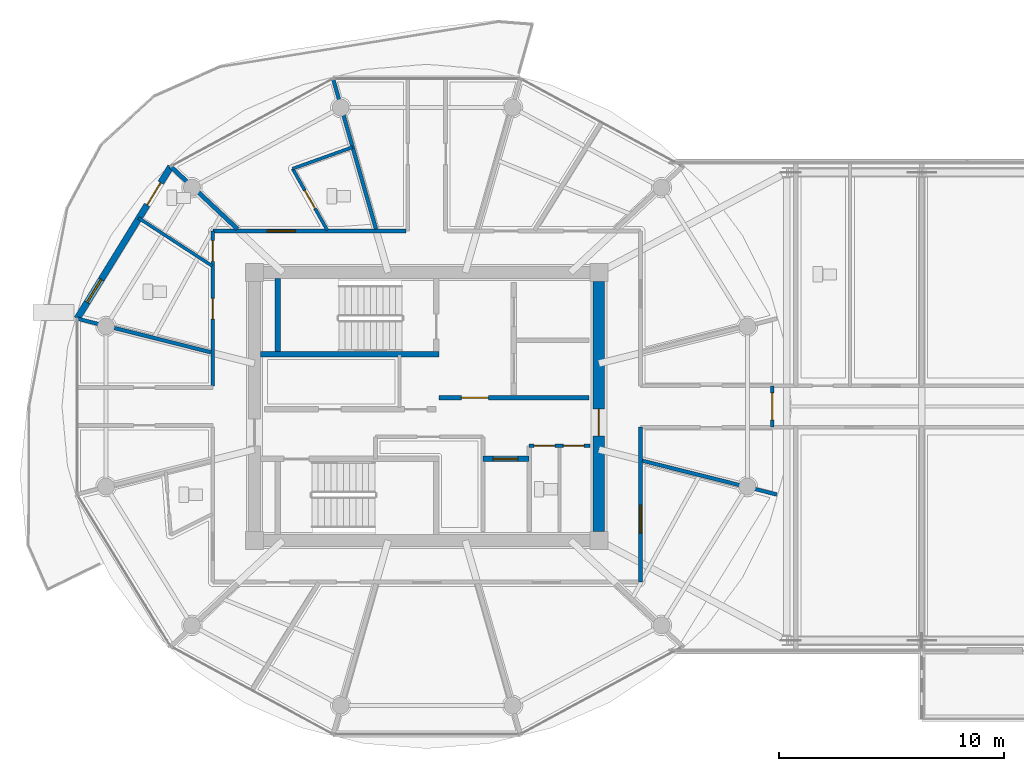
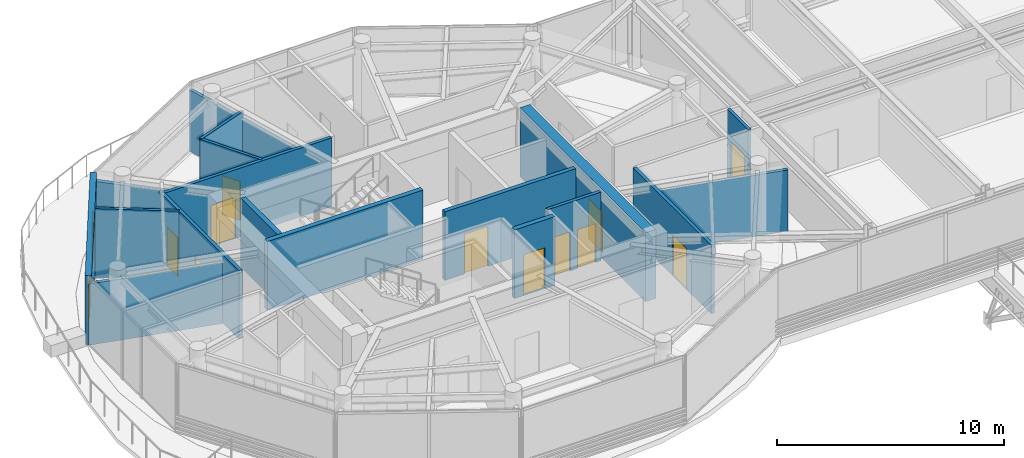
# One storey, part 15 of 31: 18 walls, 12 doors, 1 window, 13 openings.
"""IFC4 building model written with IfcOpenShell, lengths in metres."""

from ifc_helpers import new_model, si_unit, direction, frame, frame_2d, origin, place, context, subcontext, project, spatial, rectangle, extrude, source, transform, mapped, material, layer, layer_set, type_object, type_shapes, element, fill, save


model = new_model("IFC4")

# Units and contexts
model_context = context("Model", 3, precision=1e-05, world=origin(), true_north=direction((0.0, 1.0)))
body_context = subcontext(model_context, "Body", "Model", "MODEL_VIEW")
ifc_project = project(units=[si_unit("LENGTHUNIT", "METRE"), si_unit("AREAUNIT", "SQUARE_METRE"), si_unit("VOLUMEUNIT", "CUBIC_METRE"), si_unit("PLANEANGLEUNIT", "RADIAN"), si_unit("MASSUNIT", "GRAM", prefix="KILO")], contexts=[model_context])

# Site, building, storey
site_placement = place(None, origin())
site = spatial("IfcSite", under=ifc_project, at=site_placement, CompositionType="ELEMENT")
building_placement = place(site_placement, origin())
building = spatial("IfcBuilding", under=site, at=building_placement, Name="Norrkilde Senior Care Towers", CompositionType="ELEMENT")
storey_placement = place(building_placement, frame((0.0, 0.0, 199.800048828125)))
storey = spatial("IfcBuildingStorey", under=building, at=storey_placement, Name="L62", CompositionType="ELEMENT", Elevation=199.800048828125)

# Wall, opening, door
ifc_material_1 = material(Name="Concrete C50/60", Category="concrete")
ifc_layer_1 = layer(ifc_material_1, 0.52001953125)
ifc_layer_set_1 = layer_set([ifc_layer_1], Name="Concrete C50/60")
wall_type_1 = type_object("IfcWallType", Name="Core Shear Wall Z4 520", PredefinedType="SHEAR", material=ifc_layer_set_1)
shared_shape_1 = source(origin(), body_context, "Body", "SweptSolid", [
    extrude(rectangle(XDim=11.10009765625, YDim=0.52001953125, at=frame_2d((5.550048828125, 0.0))), origin(), (0.0, 0.0, 1.0), 3.7099609375),
])
type_shapes(wall_type_1, [shared_shape_1])
wall_1_placement = place(storey_placement, frame((-20.35009765625, 5.550048828125, 0.0), z_axis=(0.0, 0.0, 1.0), x_axis=(0.0, -1.0, 0.0)))
wall_1 = element("IfcWall", 1, at=wall_1_placement, inside=storey, type_object=wall_type_1, Name="L62 Core W East Shear Wall", PredefinedType="SHEAR", context=body_context, shape_type="MappedRepresentation", body=[
    mapped(shared_shape_1, transform((0.0, 0.0, 0.0), x_axis=(1.0, 0.0, 0.0), y_axis=(0.0, 1.0, 0.0), z_axis=(0.0, 0.0, 1.0), scale=1.0)),
])
opening_1_placement = place(wall_1_placement, frame((5.64990234375, 0.0, 0.0)))
opening_1 = element("IfcOpeningElement", 2, at=opening_1_placement, cuts=wall_1, Name="Opening D-04", PredefinedType="OPENING", context=body_context, shape_type="SweptSolid", body=[
    extrude(rectangle(XDim=1.199951171875, YDim=2.14990234375, at=frame_2d((0.60009765625, 1.074951171875))), frame((0.0, 0.27001953125, 0.0), z_axis=(0.0, -1.0, 0.0), x_axis=(1.0, 0.0, 0.0)), (0.0, 0.0, 1.0), 0.5400390625),
])
ifc_material_2 = material(Name="Galvanised Painted Steel", Category="steel")
door_type_1 = type_object("IfcDoorType", Name="Firefighting Lobby Fire Door 1200x2150", OperationType="NOTDEFINED", PredefinedType="DOOR", material=ifc_material_2)
shared_shape_2 = source(origin(), body_context, "Body", "SweptSolid", [
    extrude(rectangle(XDim=1.199951171875, YDim=2.14990234375, at=frame_2d((0.60009765625, 1.074951171875))), frame((0.0, 0.02490234375, 0.0), z_axis=(0.0, -1.0, 0.0), x_axis=(1.0, 0.0, 0.0)), (0.0, 0.0, 1.0), 0.050048828125),
])
type_shapes(door_type_1, [shared_shape_2])
door_1_placement = place(opening_1_placement, frame((1.199951171875, 0.0, 0.0), z_axis=(0.0, 0.0, 1.0), x_axis=(-1.0, 0.0, 0.0)))
door_1 = element("IfcDoor", 3, at=door_1_placement, inside=storey, type_object=door_type_1, Name="L62 Core W East Portal Door", OperationType="SINGLE_SWING_RIGHT", OverallHeight=2.14990234375, OverallWidth=1.199951171875, PredefinedType="DOOR", context=body_context, shape_type="MappedRepresentation", body=[
    mapped(shared_shape_2, transform((0.0, 0.0, 0.0), x_axis=(1.0, 0.0, 0.0), y_axis=(0.0, 1.0, 0.0), z_axis=(0.0, 0.0, 1.0), scale=1.0)),
])
fill(opening_1, door_1)

# Wall, openings, door, window
ifc_material_3 = material(Name="Precast concrete C45/55", Category="concrete")
ifc_layer_2 = layer(ifc_material_3, 0.2900390625)
ifc_layer_set_2 = layer_set([ifc_layer_2], Name="Precast concrete C45/55")
wall_type_2 = type_object("IfcWallType", Name="Winter Garden Facade Wall 290", PredefinedType="SOLIDWALL", material=ifc_layer_set_2)
shared_shape_3 = source(origin(), body_context, "Body", "SweptSolid", [
    extrude(rectangle(XDim=7.938232421875, YDim=0.2900390625, at=frame_2d((3.96923828125, 0.0))), origin(), (0.0, 0.0, 1.0), 3.7099609375),
])
type_shapes(wall_type_2, [shared_shape_3])
wall_2_placement = place(storey_placement, frame((-43.531982421875, 3.903076171875, 0.0), z_axis=(0.0, 0.0, 1.0), x_axis=(0.524244987663, 0.851567491694, 0.0)))
wall_2 = element("IfcWall", 4, at=wall_2_placement, inside=storey, type_object=wall_type_2, Name="L62 Drum W Balcony Access Wall 04", PredefinedType="SOLIDWALL", context=body_context, shape_type="MappedRepresentation", body=[
    mapped(shared_shape_3, transform((0.0, 0.0, 0.0), x_axis=(1.0, 0.0, 0.0), y_axis=(0.0, 1.0, 0.0), z_axis=(0.0, 0.0, 1.0), scale=1.0)),
])
opening_2_placement = place(wall_2_placement, frame((5.93994140625, 0.0, 0.0)))
opening_2 = element("IfcOpeningElement", 5, at=opening_2_placement, cuts=wall_2, Name="Opening D-09", PredefinedType="OPENING", context=body_context, shape_type="SweptSolid", body=[
    extrude(rectangle(XDim=1.14990234375, YDim=2.25, at=frame_2d((0.574951171875, 1.125))), frame((0.0, 0.155029296875, 0.0), z_axis=(0.0, -1.0, 0.0), x_axis=(1.0, 0.0, 0.0)), (0.0, 0.0, 1.0), 0.31005859375),
])
opening_3_placement = place(wall_2_placement, frame((0.85009765625, 0.0, 0.85009765625)))
opening_3 = element("IfcOpeningElement", 6, at=opening_3_placement, cuts=wall_2, Name="Opening WN-07", PredefinedType="OPENING", context=body_context, shape_type="SweptSolid", body=[
    extrude(rectangle(XDim=1.199951171875, YDim=1.5, at=frame_2d((0.60009765625, 0.75))), frame((0.0, 0.155029296875, 0.0), z_axis=(0.0, -1.0, 0.0), x_axis=(1.0, 0.0, 0.0)), (0.0, 0.0, 1.0), 0.31005859375),
])
ifc_material_4 = material(Name="Anodised Aluminium", Category="aluminium")
door_type_2 = type_object("IfcDoorType", Name="Terrace and Balcony Glazed Door 1150x2250", OperationType="NOTDEFINED", PredefinedType="DOOR", material=ifc_material_4)
shared_shape_4 = source(origin(), body_context, "Body", "SweptSolid", [
    extrude(rectangle(XDim=1.14990234375, YDim=2.25, at=frame_2d((0.574951171875, 1.125))), frame((0.0, 0.02490234375, 0.0), z_axis=(0.0, -1.0, 0.0), x_axis=(1.0, 0.0, 0.0)), (0.0, 0.0, 1.0), 0.050048828125),
])
type_shapes(door_type_2, [shared_shape_4])
door_2_placement = place(opening_2_placement, origin())
door_2 = element("IfcDoor", 7, at=door_2_placement, inside=storey, type_object=door_type_2, Name="L62 Drum W Outdoor Terrace Door 04", OperationType="SINGLE_SWING_LEFT", OverallHeight=2.25, OverallWidth=1.14990234375, PredefinedType="DOOR", context=body_context, shape_type="MappedRepresentation", body=[
    mapped(shared_shape_4, transform((0.0, 0.0, 0.0), x_axis=(1.0, 0.0, 0.0), y_axis=(0.0, 1.0, 0.0), z_axis=(0.0, 0.0, 1.0), scale=1.0)),
])
fill(opening_2, door_2)
ifc_material_5 = material(Name="Triple Low-E Insulated Glazing", Category="glass")
window_type = type_object("IfcWindowType", Name="Stairwell Smoke Vent Window 1200x1500", PartitioningType="SINGLE_PANEL", PredefinedType="WINDOW", material=ifc_material_5)
shared_shape_5 = source(origin(), body_context, "Body", "SweptSolid", [
    extrude(rectangle(XDim=1.199951171875, YDim=1.5, at=frame_2d((0.60009765625, 0.75))), frame((0.0, 0.030029296875, 0.0), z_axis=(0.0, -1.0, 0.0), x_axis=(1.0, 0.0, 0.0)), (0.0, 0.0, 1.0), 0.06005859375),
])
type_shapes(window_type, [shared_shape_5])
window_placement = place(opening_3_placement, origin())
window = element("IfcWindow", 8, at=window_placement, inside=storey, type_object=window_type, Name="L62 Drum W Winter Garden Window 04", OverallHeight=1.5, OverallWidth=1.199951171875, PartitioningType="SINGLE_PANEL", PredefinedType="WINDOW", context=body_context, shape_type="MappedRepresentation", body=[
    mapped(shared_shape_5, transform((0.0, 0.0, 0.0), x_axis=(1.0, 0.0, 0.0), y_axis=(0.0, 1.0, 0.0), z_axis=(0.0, 0.0, 1.0), scale=1.0)),
])
fill(opening_3, window)

# Walls
ifc_material_6 = material(Name="Concrete C45/55", Category="concrete")
ifc_layer_3 = layer(ifc_material_6, 0.239990234375)
ifc_layer_set_3 = layer_set([ifc_layer_3], Name="Concrete C45/55")
wall_type_3 = type_object("IfcWallType", Name="Shaft and Stair Enclosure Wall 240", PredefinedType="PARTITIONING", material=ifc_layer_set_3)
shared_shape_6 = source(origin(), body_context, "Body", "SweptSolid", [
    extrude(rectangle(XDim=7.929931640625, YDim=0.239990234375, at=frame_2d((3.96484375, 0.0))), origin(), (0.0, 0.0, 1.0), 3.7099609375),
])
wall_3_placement = place(storey_placement, frame((-35.389892578125, 2.330078125, 0.0), z_axis=(0.0, 0.0, 1.0), x_axis=(1.0, 0.0, 0.0)))
element("IfcWall", 9, at=wall_3_placement, inside=storey, type_object=wall_type_3, Name="WL-INT-L62-W-ST1S", PredefinedType="PARTITIONING", context=body_context, shape_type="MappedRepresentation", body=[
    mapped(shared_shape_6, transform((0.0, 0.0, 0.0), x_axis=(1.0, 0.0, 0.0), y_axis=(0.0, 1.0, 0.0), z_axis=(0.0, 0.0, 1.0), scale=1.0)),
])
shared_shape_7 = source(origin(), body_context, "Body", "SweptSolid", [
    extrude(rectangle(XDim=3.239990234375, YDim=0.239990234375, at=frame_2d((1.6201171875, 0.0))), origin(), (0.0, 0.0, 1.0), 3.7099609375),
])
type_shapes(wall_type_3, [shared_shape_6, shared_shape_7])
wall_4_placement = place(storey_placement, frame((-34.6201171875, 2.449951171875, 0.0), z_axis=(0.0, 0.0, 1.0), x_axis=(0.0, 1.0, 0.0)))
element("IfcWall", 10, at=wall_4_placement, inside=storey, type_object=wall_type_3, Name="WL-INT-L62-W-ST1W", PredefinedType="PARTITIONING", context=body_context, shape_type="MappedRepresentation", body=[
    mapped(shared_shape_7, transform((0.0, 0.0, 0.0), x_axis=(1.0, 0.0, 0.0), y_axis=(0.0, 1.0, 0.0), z_axis=(0.0, 0.0, 1.0), scale=1.0)),
])

# Wall, opening, door
ifc_layer_4 = layer(ifc_material_6, 0.2099609375)
ifc_layer_set_4 = layer_set([ifc_layer_4], Name="Concrete C45/55")
wall_type_4 = type_object("IfcWallType", Name="Firefighting Lobby Wall 210", PredefinedType="PARTITIONING", material=ifc_layer_set_4)
shared_shape_8 = source(origin(), body_context, "Body", "SweptSolid", [
    extrude(rectangle(XDim=6.659912109375, YDim=0.2099609375, at=frame_2d((3.330078125, 0.0))), origin(), (0.0, 0.0, 1.0), 3.695068359375),
])
type_shapes(wall_type_4, [shared_shape_8])
wall_5_placement = place(storey_placement, frame((-27.4599609375, 0.389892578125, 0.0), z_axis=(0.0, 0.0, 1.0), x_axis=(1.0, 0.0, 0.0)))
wall_5 = element("IfcWall", 11, at=wall_5_placement, inside=storey, type_object=wall_type_4, Name="WL-INT-L62-W-FFLS", PredefinedType="PARTITIONING", context=body_context, shape_type="MappedRepresentation", body=[
    mapped(shared_shape_8, transform((0.0, 0.0, 0.0), x_axis=(1.0, 0.0, 0.0), y_axis=(0.0, 1.0, 0.0), z_axis=(0.0, 0.0, 1.0), scale=1.0)),
])
opening_4_placement = place(wall_5_placement, frame((1.0, 0.0, 0.0)))
opening_4 = element("IfcOpeningElement", 12, at=opening_4_placement, cuts=wall_5, Name="Opening D-04", PredefinedType="OPENING", context=body_context, shape_type="SweptSolid", body=[
    extrude(rectangle(XDim=1.199951171875, YDim=2.14990234375, at=frame_2d((0.60009765625, 1.074951171875))), frame((0.0, 0.114990234375, 0.0), z_axis=(0.0, -1.0, 0.0), x_axis=(1.0, 0.0, 0.0)), (0.0, 0.0, 1.0), 0.22998046875),
])
door_3_placement = place(opening_4_placement, frame((1.199951171875, 0.0, 0.0), z_axis=(0.0, 0.0, 1.0), x_axis=(-1.0, 0.0, 0.0)))
door_3 = element("IfcDoor", 13, at=door_3_placement, inside=storey, type_object=door_type_1, Name="L62 Firefighting Lobby W Door", OperationType="SINGLE_SWING_LEFT", OverallHeight=2.14990234375, OverallWidth=1.199951171875, PredefinedType="DOOR", context=body_context, shape_type="MappedRepresentation", body=[
    mapped(shared_shape_2, transform((0.0, 0.0, 0.0), x_axis=(1.0, 0.0, 0.0), y_axis=(0.0, 1.0, 0.0), z_axis=(0.0, 0.0, 1.0), scale=1.0)),
])
fill(opening_4, door_3)

ifc_layer_5 = layer(ifc_material_6, 0.239990234375)
ifc_layer_set_5 = layer_set([ifc_layer_5], Name="Concrete C45/55")
wall_type_5 = type_object("IfcWallType", Name="Lift and Plant Rated Enclosure Partition 240", PredefinedType="PARTITIONING", material=ifc_layer_set_5)
shared_shape_9 = source(origin(), body_context, "Body", "SweptSolid", [
    extrude(rectangle(XDim=2.050048828125, YDim=0.239990234375, at=frame_2d((1.02490234375, 0.0))), origin(), (0.0, 0.0, 1.0), 3.695068359375),
])
type_shapes(wall_type_5, [shared_shape_9])
wall_6_placement = place(storey_placement, frame((-25.5, -2.330078125, 0.0), z_axis=(0.0, 0.0, 1.0), x_axis=(1.0, 0.0, 0.0)))
wall_6 = element("IfcWall", 14, at=wall_6_placement, inside=storey, type_object=wall_type_5, Name="WL-INT-L62-W-PL4N", PredefinedType="PARTITIONING", context=body_context, shape_type="MappedRepresentation", body=[
    mapped(shared_shape_9, transform((0.0, 0.0, 0.0), x_axis=(1.0, 0.0, 0.0), y_axis=(0.0, 1.0, 0.0), z_axis=(0.0, 0.0, 1.0), scale=1.0)),
])
opening_5_placement = place(wall_6_placement, frame((0.449951171875, 0.0, 0.0)))
opening_5 = element("IfcOpeningElement", 15, at=opening_5_placement, cuts=wall_6, Name="Opening LD-01", PredefinedType="OPENING", context=body_context, shape_type="SweptSolid", body=[
    extrude(rectangle(XDim=1.10009765625, YDim=2.199951171875, at=frame_2d((0.550048828125, 1.10009765625))), frame((0.0, 0.1298828125, 0.0), z_axis=(0.0, -1.0, 0.0), x_axis=(1.0, 0.0, 0.0)), (0.0, 0.0, 1.0), 0.260009765625),
])
ifc_material_7 = material(Name="Stainless Steel", Category="steel")
door_type_3 = type_object("IfcDoorType", Name="Lift Landing Sliding Door 1100x2200", OperationType="NOTDEFINED", PredefinedType="DOOR", material=ifc_material_7)
shared_shape_10 = source(origin(), body_context, "Body", "SweptSolid", [
    extrude(rectangle(XDim=1.10009765625, YDim=2.199951171875, at=frame_2d((0.550048828125, 1.10009765625))), frame((0.0, 0.02490234375, 0.0), z_axis=(0.0, -1.0, 0.0), x_axis=(1.0, 0.0, 0.0)), (0.0, 0.0, 1.0), 0.050048828125),
])
type_shapes(door_type_3, [shared_shape_10])
door_4_placement = place(opening_5_placement, frame((1.10009765625, 0.0, 0.0), z_axis=(0.0, 0.0, 1.0), x_axis=(-1.0, 0.0, 0.0)))
door_4 = element("IfcDoor", 16, at=door_4_placement, inside=storey, type_object=door_type_3, Name="L62 Passenger Lift W4 Landing Door", OperationType="SLIDING_TO_RIGHT", OverallHeight=2.199951171875, OverallWidth=1.10009765625, PredefinedType="DOOR", context=body_context, shape_type="MappedRepresentation", body=[
    mapped(shared_shape_10, transform((0.0, 0.0, 0.0), x_axis=(1.0, 0.0, 0.0), y_axis=(0.0, 1.0, 0.0), z_axis=(0.0, 0.0, 1.0), scale=1.0)),
])
fill(opening_5, door_4)

# Wall, openings, doors
ifc_material_8 = material(Name="Gypsum Acoustic Board")
ifc_layer_6 = layer(ifc_material_8, 0.1650390625)
ifc_layer_set_6 = layer_set([ifc_layer_6], Name="Gypsum Acoustic Board")
wall_type_6 = type_object("IfcWallType", Name="Corridor Rated Partition 165", PredefinedType="PARTITIONING", material=ifc_layer_set_6)
shared_shape_11 = source(origin(), body_context, "Body", "SweptSolid", [
    extrude(rectangle(XDim=2.699951171875, YDim=0.1650390625, at=frame_2d((1.35009765625, 0.0))), origin(), (0.0, 0.0, 1.0), 3.695068359375),
])
wall_7_placement = place(storey_placement, frame((-23.449951171875, -1.75, 0.0), z_axis=(0.0, 0.0, 1.0), x_axis=(1.0, 0.0, 0.0)))
wall_7 = element("IfcWall", 17, at=wall_7_placement, inside=storey, type_object=wall_type_6, Name="WL-INT-L62-W-CSN", PredefinedType="PARTITIONING", context=body_context, shape_type="MappedRepresentation", body=[
    mapped(shared_shape_11, transform((0.0, 0.0, 0.0), x_axis=(1.0, 0.0, 0.0), y_axis=(0.0, 1.0, 0.0), z_axis=(0.0, 0.0, 1.0), scale=1.0)),
])
opening_6_placement = place(wall_7_placement, frame((0.222412109375, 0.0, 0.0)))
opening_6 = element("IfcOpeningElement", 18, at=opening_6_placement, cuts=wall_7, Name="Opening D-12", PredefinedType="OPENING", context=body_context, shape_type="SweptSolid", body=[
    extrude(rectangle(XDim=0.925048828125, YDim=2.10009765625, at=frame_2d((0.46240234375, 1.050048828125))), frame((0.0, 0.092529296875, 0.0), z_axis=(0.0, -1.0, 0.0), x_axis=(1.0, 0.0, 0.0)), (0.0, 0.0, 1.0), 0.18505859375),
])
opening_7_placement = place(wall_7_placement, frame((1.5224609375, 0.0, 0.0)))
opening_7 = element("IfcOpeningElement", 19, at=opening_7_placement, cuts=wall_7, Name="Opening D-12", PredefinedType="OPENING", context=body_context, shape_type="SweptSolid", body=[
    extrude(rectangle(XDim=0.925048828125, YDim=2.10009765625, at=frame_2d((0.46240234375, 1.050048828125))), frame((0.0, 0.092529296875, 0.0), z_axis=(0.0, -1.0, 0.0), x_axis=(1.0, 0.0, 0.0)), (0.0, 0.0, 1.0), 0.18505859375),
])
door_type_4 = type_object("IfcDoorType", Name="Core Wet Room Rated Door 925x2100", OperationType="NOTDEFINED", PredefinedType="DOOR", material=ifc_material_2)
shared_shape_12 = source(origin(), body_context, "Body", "SweptSolid", [
    extrude(rectangle(XDim=0.925048828125, YDim=2.10009765625, at=frame_2d((0.46240234375, 1.050048828125))), frame((0.0, 0.02490234375, 0.0), z_axis=(0.0, -1.0, 0.0), x_axis=(1.0, 0.0, 0.0)), (0.0, 0.0, 1.0), 0.050048828125),
])
type_shapes(door_type_4, [shared_shape_12])
door_5_placement = place(opening_6_placement, origin())
door_5 = element("IfcDoor", 20, at=door_5_placement, inside=storey, type_object=door_type_4, Name="L62 Staff Accessible WC W Door", OperationType="SINGLE_SWING_LEFT", OverallHeight=2.10009765625, OverallWidth=0.925048828125, PredefinedType="DOOR", context=body_context, shape_type="MappedRepresentation", body=[
    mapped(shared_shape_12, transform((0.0, 0.0, 0.0), x_axis=(1.0, 0.0, 0.0), y_axis=(0.0, 1.0, 0.0), z_axis=(0.0, 0.0, 1.0), scale=1.0)),
])
fill(opening_6, door_5)
door_6_placement = place(opening_7_placement, origin())
door_6 = element("IfcDoor", 21, at=door_6_placement, inside=storey, type_object=door_type_4, Name="L62 Housekeeping Store W Door", OperationType="SINGLE_SWING_RIGHT", OverallHeight=2.10009765625, OverallWidth=0.925048828125, PredefinedType="DOOR", context=body_context, shape_type="MappedRepresentation", body=[
    mapped(shared_shape_12, transform((0.0, 0.0, 0.0), x_axis=(1.0, 0.0, 0.0), y_axis=(0.0, 1.0, 0.0), z_axis=(0.0, 0.0, 1.0), scale=1.0)),
])
fill(opening_7, door_6)

# Wall, opening, door
shared_shape_13 = source(origin(), body_context, "Body", "SweptSolid", [
    extrude(rectangle(XDim=8.580078125, YDim=0.1650390625, at=frame_2d((4.2900390625, 0.0))), origin(), (0.0, 0.0, 1.0), 3.695068359375),
])
wall_8_placement = place(storey_placement, frame((-37.5, 7.800048828125, 0.0), z_axis=(0.0, 0.0, 1.0), x_axis=(1.0, 0.0, 0.0)))
wall_8 = element("IfcWall", 22, at=wall_8_placement, inside=storey, type_object=wall_type_6, Name="WL-INT-L62-W-CRW-N-0", PredefinedType="PARTITIONING", context=body_context, shape_type="MappedRepresentation", body=[
    mapped(shared_shape_13, transform((0.0, 0.0, 0.0), x_axis=(1.0, 0.0, 0.0), y_axis=(0.0, 1.0, 0.0), z_axis=(0.0, 0.0, 1.0), scale=1.0)),
])
opening_8_placement = place(wall_8_placement, frame((2.41455078125, 0.0, 0.0)))
opening_8 = element("IfcOpeningElement", 23, at=opening_8_placement, cuts=wall_8, Name="Opening D-05", PredefinedType="OPENING", context=body_context, shape_type="SweptSolid", body=[
    extrude(rectangle(XDim=1.25, YDim=2.199951171875, at=frame_2d((0.625, 1.10009765625))), frame((0.0, 0.092529296875, 0.0), z_axis=(0.0, -1.0, 0.0), x_axis=(1.0, 0.0, 0.0)), (0.0, 0.0, 1.0), 0.18505859375),
])
ifc_material_9 = material(Name="Nordic Ash Timber", Category="wood")
door_type_5 = type_object("IfcDoorType", Name="Care Bedroom Bariatric Door 1250x2200", OperationType="NOTDEFINED", PredefinedType="DOOR", material=ifc_material_9)
shared_shape_14 = source(origin(), body_context, "Body", "SweptSolid", [
    extrude(rectangle(XDim=1.25, YDim=2.199951171875, at=frame_2d((0.625, 1.10009765625))), frame((0.0, 0.02490234375, 0.0), z_axis=(0.0, -1.0, 0.0), x_axis=(1.0, 0.0, 0.0)), (0.0, 0.0, 1.0), 0.050048828125),
])
type_shapes(door_type_5, [shared_shape_14])
door_7_placement = place(opening_8_placement, frame((1.25, 0.0, 0.0), z_axis=(0.0, 0.0, 1.0), x_axis=(-1.0, 0.0, 0.0)))
door_7 = element("IfcDoor", 24, at=door_7_placement, inside=storey, type_object=door_type_5, Name="L62 Care Suite 6203 Entrance Door", OperationType="SINGLE_SWING_LEFT", OverallHeight=2.199951171875, OverallWidth=1.25, PredefinedType="DOOR", context=body_context, shape_type="MappedRepresentation", body=[
    mapped(shared_shape_14, transform((0.0, 0.0, 0.0), x_axis=(1.0, 0.0, 0.0), y_axis=(0.0, 1.0, 0.0), z_axis=(0.0, 0.0, 1.0), scale=1.0)),
])
fill(opening_8, door_7)

# Wall, openings, doors
shared_shape_15 = source(origin(), body_context, "Body", "SweptSolid", [
    extrude(rectangle(XDim=6.880126953125, YDim=0.1650390625, at=frame_2d((3.43994140625, 0.0))), origin(), (0.0, 0.0, 1.0), 3.695068359375),
])
wall_9_placement = place(storey_placement, frame((-37.5, 0.919921875, 0.0), z_axis=(0.0, 0.0, 1.0), x_axis=(0.0, 1.0, 0.0)))
wall_9 = element("IfcWall", 25, at=wall_9_placement, inside=storey, type_object=wall_type_6, Name="WL-INT-L62-W-CRW-W-1", PredefinedType="PARTITIONING", context=body_context, shape_type="MappedRepresentation", body=[
    mapped(shared_shape_15, transform((0.0, 0.0, 0.0), x_axis=(1.0, 0.0, 0.0), y_axis=(0.0, 1.0, 0.0), z_axis=(0.0, 0.0, 1.0), scale=1.0)),
])
opening_9_placement = place(wall_9_placement, frame((5.525146484375, 0.0, 0.0)))
opening_9 = element("IfcOpeningElement", 26, at=opening_9_placement, cuts=wall_9, Name="Opening D-08", PredefinedType="OPENING", context=body_context, shape_type="SweptSolid", body=[
    extrude(rectangle(XDim=0.919921875, YDim=2.10009765625, at=frame_2d((0.4599609375, 1.050048828125))), frame((0.0, 0.092529296875, 0.0), z_axis=(0.0, -1.0, 0.0), x_axis=(1.0, 0.0, 0.0)), (0.0, 0.0, 1.0), 0.18505859375),
])
opening_10_placement = place(wall_9_placement, frame((2.96240234375, 0.0, 0.0)))
opening_10 = element("IfcOpeningElement", 27, at=opening_10_placement, cuts=wall_9, Name="Opening D-08", PredefinedType="OPENING", context=body_context, shape_type="SweptSolid", body=[
    extrude(rectangle(XDim=0.919921875, YDim=2.10009765625, at=frame_2d((0.4599609375, 1.050048828125))), frame((0.0, 0.092529296875, 0.0), z_axis=(0.0, -1.0, 0.0), x_axis=(1.0, 0.0, 0.0)), (0.0, 0.0, 1.0), 0.18505859375),
])
door_type_6 = type_object("IfcDoorType", Name="Accessible Wet Room Door 920x2100", OperationType="NOTDEFINED", PredefinedType="DOOR", material=ifc_material_9)
shared_shape_16 = source(origin(), body_context, "Body", "SweptSolid", [
    extrude(rectangle(XDim=0.919921875, YDim=2.10009765625, at=frame_2d((0.4599609375, 1.050048828125))), frame((0.0, 0.02490234375, 0.0), z_axis=(0.0, -1.0, 0.0), x_axis=(1.0, 0.0, 0.0)), (0.0, 0.0, 1.0), 0.050048828125),
])
type_shapes(door_type_6, [shared_shape_16])
door_8_placement = place(opening_9_placement, frame((0.919921875, 0.0, 0.0), z_axis=(0.0, 0.0, 1.0), x_axis=(-1.0, 0.0, 0.0)))
door_8 = element("IfcDoor", 28, at=door_8_placement, inside=storey, type_object=door_type_6, Name="L62 Accessible Restroom Door", OperationType="SINGLE_SWING_LEFT", OverallHeight=2.10009765625, OverallWidth=0.919921875, PredefinedType="DOOR", context=body_context, shape_type="MappedRepresentation", body=[
    mapped(shared_shape_16, transform((0.0, 0.0, 0.0), x_axis=(1.0, 0.0, 0.0), y_axis=(0.0, 1.0, 0.0), z_axis=(0.0, 0.0, 1.0), scale=1.0)),
])
fill(opening_9, door_8)
door_9_placement = place(opening_10_placement, frame((0.919921875, 0.0, 0.0), z_axis=(0.0, 0.0, 1.0), x_axis=(-1.0, 0.0, 0.0)))
door_9 = element("IfcDoor", 29, at=door_9_placement, inside=storey, type_object=door_type_6, Name="L62 Public Restroom Door", OperationType="SINGLE_SWING_RIGHT", OverallHeight=2.10009765625, OverallWidth=0.919921875, PredefinedType="DOOR", context=body_context, shape_type="MappedRepresentation", body=[
    mapped(shared_shape_16, transform((0.0, 0.0, 0.0), x_axis=(1.0, 0.0, 0.0), y_axis=(0.0, 1.0, 0.0), z_axis=(0.0, 0.0, 1.0), scale=1.0)),
])
fill(opening_10, door_9)

# Wall, opening, door
wall_10_placement = place(storey_placement, frame((-18.5, -0.919921875, 0.0), z_axis=(0.0, 0.0, 1.0), x_axis=(0.0, -1.0, 0.0)))
wall_10 = element("IfcWall", 30, at=wall_10_placement, inside=storey, type_object=wall_type_6, Name="WL-INT-L62-W-CRW-E-1", PredefinedType="PARTITIONING", context=body_context, shape_type="MappedRepresentation", body=[
    mapped(shared_shape_15, transform((0.0, 0.0, 0.0), x_axis=(1.0, 0.0, 0.0), y_axis=(0.0, 1.0, 0.0), z_axis=(0.0, 0.0, 1.0), scale=1.0)),
])
opening_11_placement = place(wall_10_placement, frame((3.46435546875, 0.0, 0.0)))
opening_11 = element("IfcOpeningElement", 31, at=opening_11_placement, cuts=wall_10, Name="Opening D-05", PredefinedType="OPENING", context=body_context, shape_type="SweptSolid", body=[
    extrude(rectangle(XDim=1.25, YDim=2.199951171875, at=frame_2d((0.625, 1.10009765625))), frame((0.0, 0.092529296875, 0.0), z_axis=(0.0, -1.0, 0.0), x_axis=(1.0, 0.0, 0.0)), (0.0, 0.0, 1.0), 0.18505859375),
])
door_10_placement = place(opening_11_placement, frame((1.25, 0.0, 0.0), z_axis=(0.0, 0.0, 1.0), x_axis=(-1.0, 0.0, 0.0)))
door_10 = element("IfcDoor", 32, at=door_10_placement, inside=storey, type_object=door_type_5, Name="L62 Care Coordination Charting Office Door", OperationType="SINGLE_SWING_LEFT", OverallHeight=2.199951171875, OverallWidth=1.25, PredefinedType="DOOR", context=body_context, shape_type="MappedRepresentation", body=[
    mapped(shared_shape_14, transform((0.0, 0.0, 0.0), x_axis=(1.0, 0.0, 0.0), y_axis=(0.0, 1.0, 0.0), z_axis=(0.0, 0.0, 1.0), scale=1.0)),
])
fill(opening_11, door_10)

# Walls
shared_shape_17 = source(origin(), body_context, "Body", "SweptSolid", [
    extrude(rectangle(XDim=6.973876953125, YDim=0.1650390625, at=frame_2d((3.48681640625, 0.0))), origin(), (0.0, 0.0, 1.0), 3.294921875),
])
wall_11_placement = place(storey_placement, frame((-30.251220703125, 7.8798828125, 0.0), z_axis=(0.0, 0.0, 1.0), x_axis=(-0.274707256801, 0.961527910703, 0.0)))
element("IfcWall", 33, at=wall_11_placement, inside=storey, type_object=wall_type_6, Name="WL-INT-L62-W-DEM-03-0", PredefinedType="PARTITIONING", context=body_context, shape_type="MappedRepresentation", body=[
    mapped(shared_shape_17, transform((0.0, 0.0, 0.0), x_axis=(1.0, 0.0, 0.0), y_axis=(0.0, 1.0, 0.0), z_axis=(0.0, 0.0, 1.0), scale=1.0)),
])
shared_shape_18 = source(origin(), body_context, "Body", "SweptSolid", [
    extrude(rectangle(XDim=6.1572265625, YDim=0.1650390625, at=frame_2d((3.07861328125, 0.0))), origin(), (0.0, 0.0, 1.0), 3.294921875),
])
for number, where, z_axis, x_axis, name in (
    (34, (-37.580078125, 2.407470703125, 0.0), (0.0, 0.0, 1.0), (-0.969840867184, 0.243738984038, 0.0), "WL-INT-L62-W-DEM-05-0"),
    (35, (-18.419921875, -2.407470703125, 0.0), (0.0, 0.0, 1.0), (0.969840867184, -0.243738984038, 0.0), "WL-INT-L62-W-DEM-11-0"),
):
    element("IfcWall", number, at=place(storey_placement, frame(where, z_axis=z_axis, x_axis=x_axis)), inside=storey, type_object=wall_type_6, Name=name, PredefinedType="PARTITIONING", context=body_context, shape_type="MappedRepresentation", body=[
        mapped(shared_shape_18, transform((0.0, 0.0, 0.0), x_axis=(1.0, 0.0, 0.0), y_axis=(0.0, 1.0, 0.0), z_axis=(0.0, 0.0, 1.0), scale=1.0)),
    ])
ifc_layer_7 = layer(ifc_material_8, 0.18994140625)
ifc_layer_set_7 = layer_set([ifc_layer_7], Name="Gypsum Acoustic Board")
wall_type_7 = type_object("IfcWallType", Name="Unit Demising Acoustic Wall 190", PredefinedType="PARTITIONING", material=ifc_layer_set_7)
shared_shape_19 = source(origin(), body_context, "Body", "SweptSolid", [
    extrude(rectangle(XDim=4.089111328125, YDim=0.18994140625, at=frame_2d((2.04443359375, 0.0))), origin(), (0.0, 0.0, 1.0), 3.294921875),
])
type_shapes(wall_type_7, [shared_shape_19])
wall_12_placement = place(storey_placement, frame((-36.40185546875, 7.8798828125, 0.0), z_axis=(0.0, 0.0, 1.0), x_axis=(-0.729401273609, 0.684086092577, 0.0)))
element("IfcWall", 36, at=wall_12_placement, inside=storey, type_object=wall_type_7, Name="WL-INT-L62-W-DEM-04-0", PredefinedType="PARTITIONING", context=body_context, shape_type="MappedRepresentation", body=[
    mapped(shared_shape_19, transform((0.0, 0.0, 0.0), x_axis=(1.0, 0.0, 0.0), y_axis=(0.0, 1.0, 0.0), z_axis=(0.0, 0.0, 1.0), scale=1.0)),
])

# Wall, opening, door
ifc_layer_8 = layer(ifc_material_8, 0.139892578125)
ifc_layer_set_8 = layer_set([ifc_layer_8], Name="Gypsum Acoustic Board")
wall_type_8 = type_object("IfcWallType", Name="En-suite Wet Room Wall 140", PredefinedType="PARTITIONING", material=ifc_layer_set_8)
shared_shape_20 = source(origin(), body_context, "Body", "SweptSolid", [
    extrude(rectangle(XDim=3.14013671875, YDim=0.139892578125, at=frame_2d((1.570068359375, 0.0))), origin(), (0.0, 0.0, 1.0), 3.695068359375),
])
wall_13_placement = place(storey_placement, frame((-32.4150390625, 7.830078125, 0.0), z_axis=(0.0, 0.0, 1.0), x_axis=(-0.491132137966, 0.871085083707, 0.0)))
wall_13 = element("IfcWall", 37, at=wall_13_placement, inside=storey, type_object=wall_type_8, Name="WL-INT-L62-W-ES-03", PredefinedType="PARTITIONING", context=body_context, shape_type="MappedRepresentation", body=[
    mapped(shared_shape_20, transform((0.0, 0.0, 0.0), x_axis=(1.0, 0.0, 0.0), y_axis=(0.0, 1.0, 0.0), z_axis=(0.0, 0.0, 1.0), scale=1.0)),
])
opening_12_placement = place(wall_13_placement, frame((1.110107421875, 0.0, 0.0)))
opening_12 = element("IfcOpeningElement", 38, at=opening_12_placement, cuts=wall_13, Name="Opening D-08", PredefinedType="OPENING", context=body_context, shape_type="SweptSolid", body=[
    extrude(rectangle(XDim=0.919921875, YDim=2.10009765625, at=frame_2d((0.4599609375, 1.050048828125))), frame((0.0, 0.079833984375, 0.0), z_axis=(0.0, -1.0, 0.0), x_axis=(1.0, 0.0, 0.0)), (0.0, 0.0, 1.0), 0.159912109375),
])
door_11_placement = place(opening_12_placement, origin())
door_11 = element("IfcDoor", 39, at=door_11_placement, inside=storey, type_object=door_type_6, Name="L62 Care Suite 6203 Bathroom Door", OperationType="SINGLE_SWING_RIGHT", OverallHeight=2.10009765625, OverallWidth=0.919921875, PredefinedType="DOOR", context=body_context, shape_type="MappedRepresentation", body=[
    mapped(shared_shape_16, transform((0.0, 0.0, 0.0), x_axis=(1.0, 0.0, 0.0), y_axis=(0.0, 1.0, 0.0), z_axis=(0.0, 0.0, 1.0), scale=1.0)),
])
fill(opening_12, door_11)

# Walls
shared_shape_21 = source(origin(), body_context, "Body", "SweptSolid", [
    extrude(rectangle(XDim=2.8310546875, YDim=0.139892578125, at=frame_2d((1.41552734375, 0.0))), origin(), (0.0, 0.0, 1.0), 3.695068359375),
])
wall_14_placement = place(storey_placement, frame((-33.957275390625, 10.5654296875, 0.0), z_axis=(0.0, 0.0, 1.0), x_axis=(0.941411742535, 0.337259441701, 0.0)))
element("IfcWall", 40, at=wall_14_placement, inside=storey, type_object=wall_type_8, Name="WL-INT-L62-W-EF-03", PredefinedType="PARTITIONING", context=body_context, shape_type="MappedRepresentation", body=[
    mapped(shared_shape_21, transform((0.0, 0.0, 0.0), x_axis=(1.0, 0.0, 0.0), y_axis=(0.0, 1.0, 0.0), z_axis=(0.0, 0.0, 1.0), scale=1.0)),
])
shared_shape_22 = source(origin(), body_context, "Body", "SweptSolid", [
    extrude(rectangle(XDim=3.903564453125, YDim=0.139892578125, at=frame_2d((1.95166015625, 0.0))), origin(), (0.0, 0.0, 1.0), 3.695068359375),
])
type_shapes(wall_type_8, [shared_shape_20, shared_shape_21, shared_shape_22])
wall_15_placement = place(storey_placement, frame((-37.530029296875, 6.245849609375, 0.0), z_axis=(0.0, 0.0, 1.0), x_axis=(-0.838024687996, 0.545632314209, 0.0)))
element("IfcWall", 41, at=wall_15_placement, inside=storey, type_object=wall_type_8, Name="WL-INT-L62-W-MID-04", PredefinedType="PARTITIONING", context=body_context, shape_type="MappedRepresentation", body=[
    mapped(shared_shape_22, transform((0.0, 0.0, 0.0), x_axis=(1.0, 0.0, 0.0), y_axis=(0.0, 1.0, 0.0), z_axis=(0.0, 0.0, 1.0), scale=1.0)),
])

# Wall, opening, door
shared_shape_23 = source(origin(), body_context, "Body", "SweptSolid", [
    extrude(rectangle(XDim=1.83984375, YDim=0.1650390625, at=frame_2d((0.919921875, 0.0))), origin(), (0.0, 0.0, 1.0), 3.695068359375),
])
type_shapes(wall_type_6, [shared_shape_11, shared_shape_13, shared_shape_15, shared_shape_17, shared_shape_18, shared_shape_23])
wall_16_placement = place(storey_placement, frame((-12.64990234375, -0.919921875, 0.0), z_axis=(0.0, 0.0, 1.0), x_axis=(0.0, 1.0, 0.0)))
wall_16 = element("IfcWall", 42, at=wall_16_placement, inside=storey, type_object=wall_type_6, Name="WL-INT-L62-BR-GW", PredefinedType="PARTITIONING", context=body_context, shape_type="MappedRepresentation", body=[
    mapped(shared_shape_23, transform((0.0, 0.0, 0.0), x_axis=(1.0, 0.0, 0.0), y_axis=(0.0, 1.0, 0.0), z_axis=(0.0, 0.0, 1.0), scale=1.0)),
])
opening_13_placement = place(wall_16_placement, frame((0.320068359375, 0.0, 0.0)))
opening_13 = element("IfcOpeningElement", 43, at=opening_13_placement, cuts=wall_16, Name="Opening D-04", PredefinedType="OPENING", context=body_context, shape_type="SweptSolid", body=[
    extrude(rectangle(XDim=1.199951171875, YDim=2.14990234375, at=frame_2d((0.60009765625, 1.074951171875))), frame((0.0, 0.092529296875, 0.0), z_axis=(0.0, -1.0, 0.0), x_axis=(1.0, 0.0, 0.0)), (0.0, 0.0, 1.0), 0.18505859375),
])
door_12_placement = place(opening_13_placement, frame((1.199951171875, 0.0, 0.0), z_axis=(0.0, 0.0, 1.0), x_axis=(-1.0, 0.0, 0.0)))
door_12 = element("IfcDoor", 44, at=door_12_placement, inside=storey, type_object=door_type_1, Name="L62 Sky-Gate Bridge GW Fire Door", OperationType="SINGLE_SWING_LEFT", OverallHeight=2.14990234375, OverallWidth=1.199951171875, PredefinedType="DOOR", context=body_context, shape_type="MappedRepresentation", body=[
    mapped(shared_shape_2, transform((0.0, 0.0, 0.0), x_axis=(1.0, 0.0, 0.0), y_axis=(0.0, 1.0, 0.0), z_axis=(0.0, 0.0, 1.0), scale=1.0)),
])
fill(opening_13, door_12)

save(model, "model.ifc")
